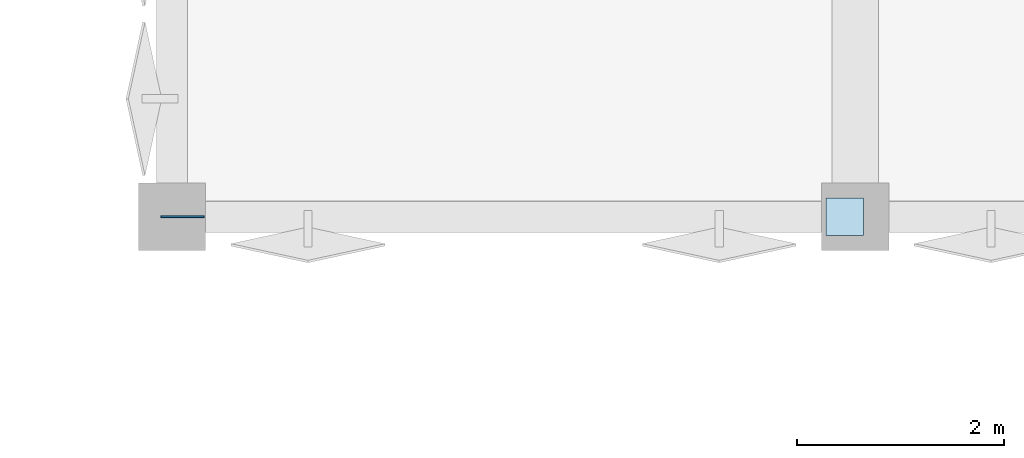
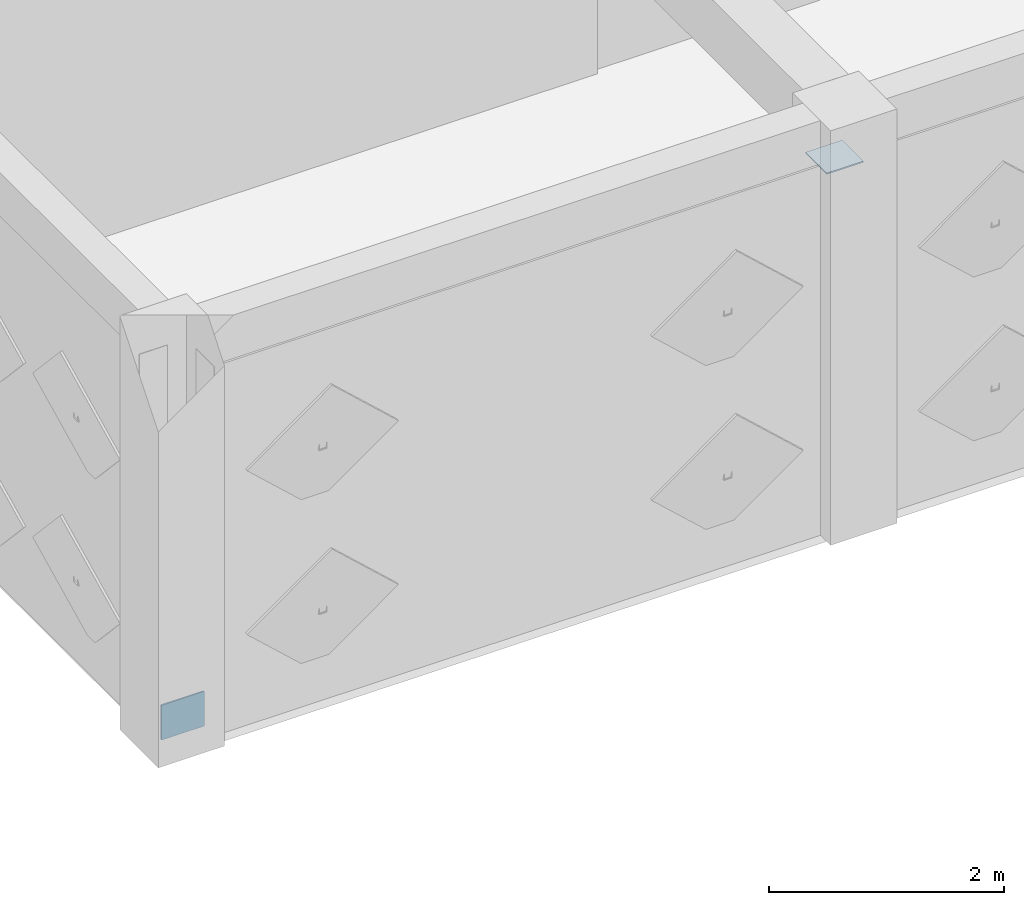
# One storey, part 25 of 39: 2 plates.
"""IFC4 building model written with IfcOpenShell, lengths in metres."""

from ifc_helpers import new_model, si_unit, direction, frame, origin, origin_2d, place, context, subcontext, project, spatial, rectangle, extrude, material, layer, layer_set, type_object, element, save


model = new_model("IFC4")

# Units and contexts
model_context = context("Model", 3, precision=1e-05, world=origin(), true_north=direction((0.0, 1.0)))
body_context = subcontext(model_context, "Body", "Model", "MODEL_VIEW")
ifc_project = project(units=[si_unit("LENGTHUNIT", "METRE"), si_unit("AREAUNIT", "SQUARE_METRE"), si_unit("VOLUMEUNIT", "CUBIC_METRE"), si_unit("PLANEANGLEUNIT", "RADIAN"), si_unit("MASSUNIT", "GRAM", prefix="KILO")], contexts=[model_context])

# Site, building, storey
site_placement = place(None, origin())
site = spatial("IfcSite", under=ifc_project, at=site_placement, CompositionType="ELEMENT")
building_placement = place(site_placement, origin())
building = spatial("IfcBuilding", under=site, at=building_placement, Name="Kharisveld Research Institute", CompositionType="ELEMENT")
storey_placement = place(building_placement, frame((0.0, 0.0, 18.60009765625)))
storey = spatial("IfcBuildingStorey", under=building, at=storey_placement, Name="L04", CompositionType="ELEMENT", Elevation=18.60009765625)

# Plates
ifc_material_1 = material(Name="Steel S355JR", Category="steel")
ifc_layer_1 = layer(ifc_material_1, 0.013916015625)
ifc_layer_set_1 = layer_set([ifc_layer_1], Name="PL_CAP_A")
plate_type_1 = type_object("IfcPlateType", Name="PL_CAP_A", PredefinedType="SHEET", material=ifc_layer_set_1)
plate_1_placement = place(storey_placement, frame((121.10009765625, 39.199951171875, 3.7431640625), z_axis=(0.0, 0.0, 1.0), x_axis=(1.0, 0.0, 0.0)))
element("IfcPlate", 1, at=plate_1_placement, inside=storey, type_object=plate_type_1, Name="PLT:V2:L04:CAP_0_0", PredefinedType="SHEET", context=body_context, shape_type="SweptSolid", body=[
    extrude(rectangle(XDim=0.360107421875, YDim=0.360107421875, at=origin_2d()), origin(), (0.0, 0.0, 1.0), 0.013916015625),
])
ifc_material_2 = material(Name="Steel S355JR", Category="steel")
ifc_layer_2 = layer(ifc_material_2, 0.01611328125)
ifc_layer_set_2 = layer_set([ifc_layer_2], Name="PL_GUS_A")
plate_type_2 = type_object("IfcPlateType", Name="PL_GUS_A", PredefinedType="USERDEFINED", material=ifc_layer_set_2)
plate_2_placement = place(storey_placement, frame((114.699951171875, 39.199951171875, 0.02001953125), z_axis=(0.0, 0.0, 1.0), x_axis=(1.0, 0.0, 0.0)))
element("IfcPlate", 2, at=plate_2_placement, inside=storey, type_object=plate_type_2, Name="PLT:V2:L04:GUS_0_0", ObjectType="GUSSET PLATE", PredefinedType="USERDEFINED", context=body_context, shape_type="SweptSolid", body=[
    extrude(rectangle(XDim=0.419921875, YDim=0.01611328125, at=origin_2d()), origin(), (0.0, 0.0, 1.0), 0.360107421875),
])

save(model, "model.ifc")
